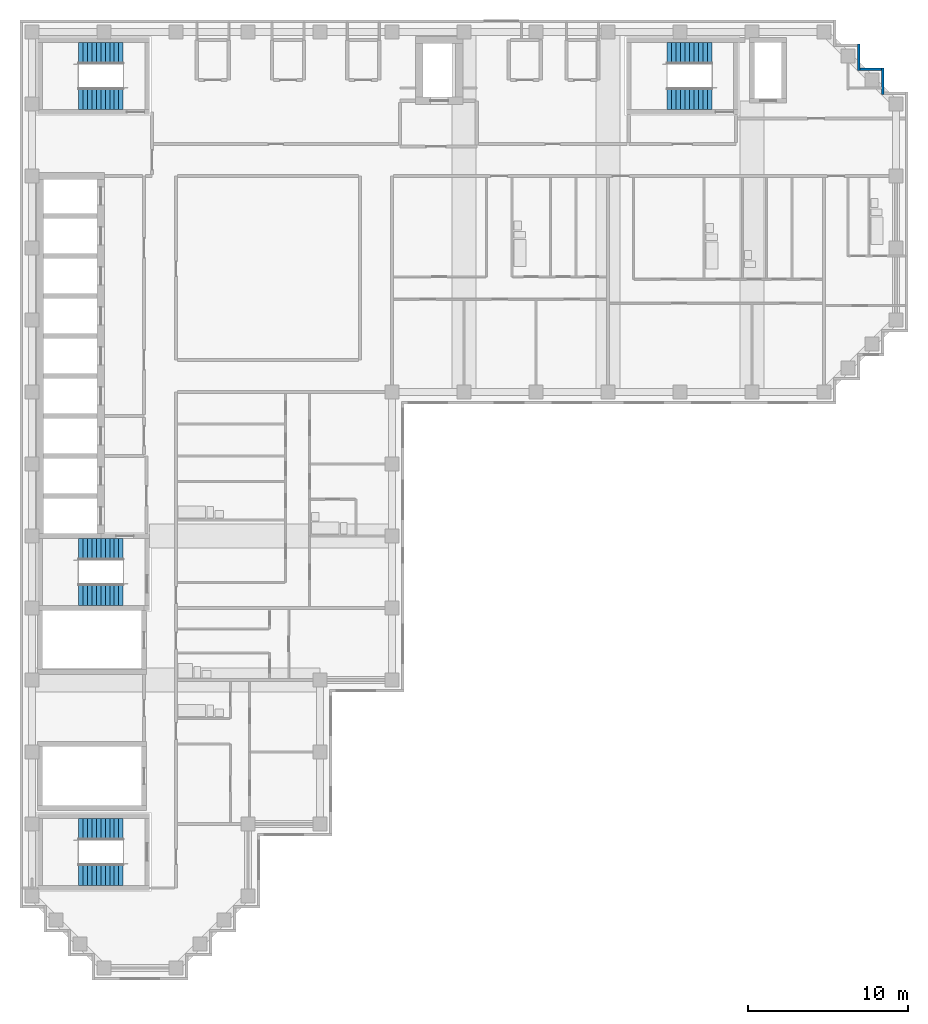
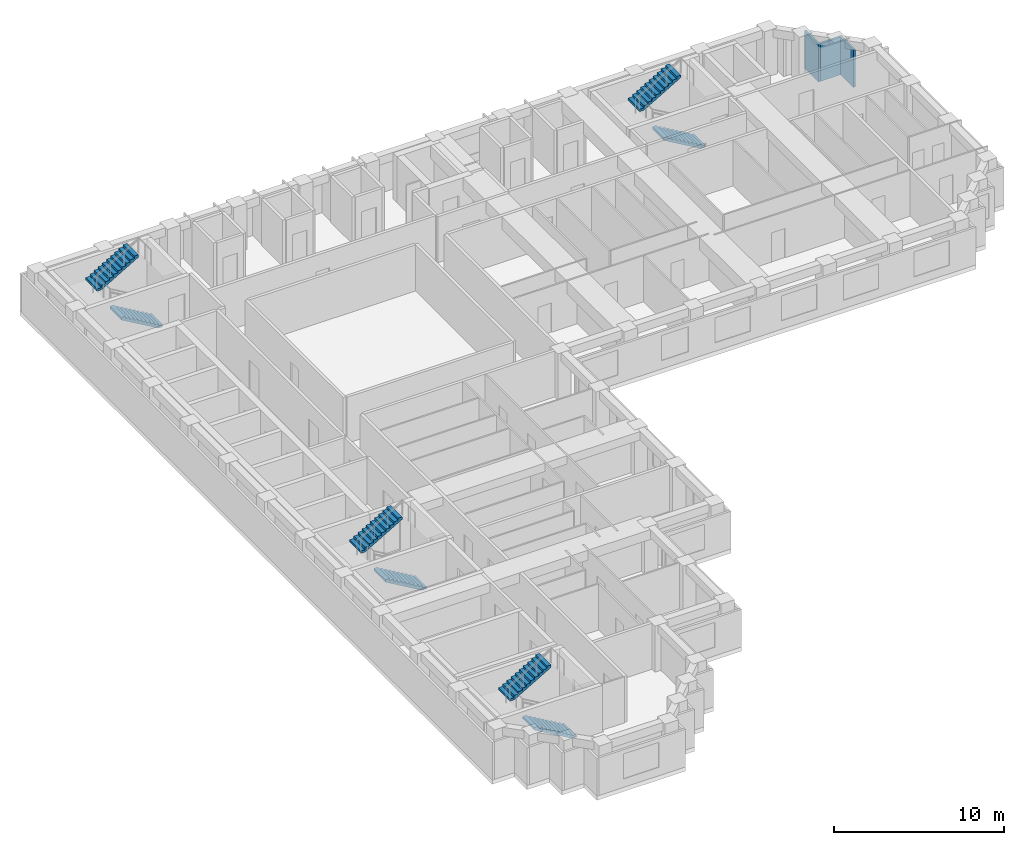
# One storey, part 8 of 10: 8 stair flights, 3 walls, 4 elements without a shape of their own.
"""IFC4 building model written with IfcOpenShell, lengths in metres."""

import ifcopenshell
import ifcopenshell.guid

model = None  # the IFC model being written
_history = None  # IfcOwnerHistory: only IFC2X3 demands one
_inside = {}  # id of a spatial element -> (the spatial element, [elements in it])
_under = {}  # id of a project, library or spatial element -> (it, [spatial elements below it])
_declared = {}  # id of a project -> (the project, [libraries it declares])
_typed = {}  # id of a type object -> (the type object, [elements of that type])
_made_of = {}  # id of a material, layer set ... -> (it, [elements and type objects made of it])


def new_model(schema):
    """Start an empty IFC model of exactly this schema.

    Asked for "IFC4X3", IfcOpenShell would pick the latest addendum, in which some entities
    have other attributes; the version numbers below select the first issue.
    IFC2X3 requires an IfcOwnerHistory on every rooted entity: one is made here for all.
    """
    global model, _history
    if schema == "IFC4X3":
        model = ifcopenshell.file(schema_version=(4, 3, 0, 0))
    else:
        model = ifcopenshell.file(schema=schema)
    _inside.clear()
    _under.clear()
    _declared.clear()
    _typed.clear()
    _made_of.clear()
    _history = None
    if model.schema == "IFC2X3":
        org = make("IfcOrganization", Name="unknown")
        user = make(
            "IfcPersonAndOrganization",
            ThePerson=make("IfcPerson", FamilyName="unknown"),
            TheOrganization=org,
        )
        app = make(
            "IfcApplication",
            ApplicationDeveloper=org,
            Version="unknown",
            ApplicationFullName="unknown",
            ApplicationIdentifier="unknown",
        )
        _history = make(
            "IfcOwnerHistory",
            OwningUser=user,
            OwningApplication=app,
            ChangeAction="ADDED",
            CreationDate=0,
        )
    return model


def make(cls, **values):
    """One entity of the class cls with the attributes given. An attribute that is None is left unset."""
    return model.create_entity(
        cls, **{name: value for name, value in values.items() if value is not None}
    )


def rooted(cls, **values):
    """An entity with a GlobalId (a new one), such as an element, a storey or a relation."""
    return make(cls, GlobalId=ifcopenshell.guid.new(), OwnerHistory=_history, **values)


def si_unit(unit_type, name, prefix=None):
    """IfcSIUnit, for example si_unit("LENGTHUNIT", "METRE", prefix="MILLI")."""
    return make("IfcSIUnit", UnitType=unit_type, Prefix=prefix, Name=name)


def assignment(units):
    """IfcUnitAssignment: the units of a project."""
    return None if units is None else make("IfcUnitAssignment", Units=units)


def point(xyz):
    """IfcCartesianPoint."""
    return None if xyz is None else make("IfcCartesianPoint", Coordinates=xyz)


def direction(xyz):
    """IfcDirection."""
    return None if xyz is None else make("IfcDirection", DirectionRatios=xyz)


def frame(location, z_axis=None, x_axis=None):
    """IfcAxis2Placement3D, a coordinate frame: its origin and axes. An axis left out is left unset."""
    return make(
        "IfcAxis2Placement3D",
        Location=point(location),
        Axis=direction(z_axis),
        RefDirection=direction(x_axis),
    )


def frame_2d(location, x_axis=None):
    """IfcAxis2Placement2D, a coordinate frame in the plane: its origin and x axis."""
    return make(
        "IfcAxis2Placement2D", Location=point(location), RefDirection=direction(x_axis)
    )


def origin():
    """The frame at (0, 0, 0) with its axes left unset."""
    return frame((0.0, 0.0, 0.0))


def place(relative_to, where):
    """IfcLocalPlacement: puts the frame where relative to a parent placement (None: the world)."""
    return make(
        "IfcLocalPlacement", PlacementRelTo=relative_to, RelativePlacement=where
    )


def context(
    kind, dimensions, precision=None, world=None, true_north=None, identifier=None
):
    """IfcGeometricRepresentationContext, for example the 3D "Model" context."""
    return make(
        "IfcGeometricRepresentationContext",
        ContextIdentifier=identifier,
        ContextType=kind,
        CoordinateSpaceDimension=dimensions,
        Precision=precision,
        WorldCoordinateSystem=world,
        TrueNorth=true_north,
    )


def subcontext(parent, identifier, kind, view, scale=None):
    """IfcGeometricRepresentationSubContext, for example "Body" below "Model"."""
    return make(
        "IfcGeometricRepresentationSubContext",
        ContextIdentifier=identifier,
        ContextType=kind,
        ParentContext=parent,
        TargetScale=scale,
        TargetView=view,
    )


def project(units=None, contexts=None):
    """IfcProject with its units and contexts."""
    return rooted(
        "IfcProject",
        Name="project",
        RepresentationContexts=contexts,
        UnitsInContext=assignment(units),
    )


def spatial(cls, under=None, at=None, **own):
    """A site, building, storey or space (cls), placed at a placement, below another one or the project."""
    s = rooted(cls, ObjectPlacement=at, **own)
    if under is not None:
        _under.setdefault(under.id(), (under, []))[1].append(s)
    return s


def polyline(points):
    """IfcPolyline through the points."""
    return make("IfcPolyline", Points=[point(p) for p in points])


def profile(cls, at=None, kind="AREA", **sizes):
    """A parametric profile (cls). Its sizes go by their IFC names, for example OverallWidth=200.0."""
    return make(cls, ProfileType=kind, Position=at, **sizes)


def rectangle(**sizes):
    """IfcRectangleProfileDef."""
    return profile("IfcRectangleProfileDef", **sizes)


def outline(outer, holes=None, kind="AREA"):
    """IfcArbitraryClosedProfileDef: a profile drawn as a closed curve; with holes, ...WithVoids."""
    if holes is None:
        return make("IfcArbitraryClosedProfileDef", ProfileType=kind, OuterCurve=outer)
    return make(
        "IfcArbitraryProfileDefWithVoids",
        ProfileType=kind,
        OuterCurve=outer,
        InnerCurves=holes,
    )


def extrude(swept, where, along, depth):
    """IfcExtrudedAreaSolid: the profile swept, set in the frame where, extruded along a direction by depth."""
    return make(
        "IfcExtrudedAreaSolid",
        SweptArea=swept,
        Position=where,
        ExtrudedDirection=direction(along),
        Depth=depth,
    )


def shape(context_of_items, identifier, shape_type, items):
    """IfcShapeRepresentation: the items that make up one representation, for example the "Body"."""
    return make(
        "IfcShapeRepresentation",
        ContextOfItems=context_of_items,
        RepresentationIdentifier=identifier,
        RepresentationType=shape_type,
        Items=items,
    )


def material(Name=None, Category=None):
    """IfcMaterial."""
    return make("IfcMaterial", Name=Name, Category=Category)


def layer(
    of_material, thickness, ventilated=None, Name=None, Category=None, Priority=None
):
    """IfcMaterialLayer: one layer of a wall or slab, of a material (None: an air gap)."""
    return make(
        "IfcMaterialLayer",
        Material=of_material,
        LayerThickness=thickness,
        IsVentilated=ventilated,
        Name=Name,
        Category=Category,
        Priority=Priority,
    )


def layer_set(layers, Name=None):
    """IfcMaterialLayerSet."""
    return make("IfcMaterialLayerSet", MaterialLayers=layers, LayerSetName=Name)


def made_of(thing, what):
    """Note that an element or type object is made of a material, layer set ...; save() writes the relation."""
    if what is not None:
        _made_of.setdefault(what.id(), (what, []))[1].append(thing)
    return thing


def type_object(cls, material=None, **own):
    """A type object (cls), such as IfcWallType, which elements share."""
    return made_of(rooted(cls, **own), material)


def element(
    cls,
    number,
    at=None,
    inside=None,
    cuts=None,
    type_object=None,
    material=None,
    context=None,
    identifier="Body",
    shape_type=None,
    held_by="IfcProductDefinitionShape",
    body=None,
    shapes=None,
    **own,
):
    """One element of the class cls, such as IfcWall. Its Tag is "e" and its number.

    at: its placement. inside: the storey or other place that contains it. cuts: it is an
    opening in that element (IfcRelVoidsElement). A single representation is given by context,
    identifier, shape_type and body (its items); several are given by shapes. held_by: the class
    of the entity that holds the representations. save() writes the other relations.
    """
    e = rooted(cls, Tag="e%d" % number, ObjectPlacement=at, **own)
    if body is not None:
        shapes = [shape(context, identifier, shape_type, body)]
    if shapes is not None:
        e.Representation = make(held_by, Representations=shapes)
    if inside is not None:
        _inside.setdefault(inside.id(), (inside, []))[1].append(e)
    if cuts is not None:
        rooted(
            "IfcRelVoidsElement", RelatingBuildingElement=cuts, RelatedOpeningElement=e
        )
    if type_object is not None:
        _typed.setdefault(type_object.id(), (type_object, []))[1].append(e)
    return made_of(e, material)


def aggregate(whole, parts):
    """IfcRelAggregates: a whole, such as a stair, and the parts it consists of."""
    return rooted("IfcRelAggregates", RelatingObject=whole, RelatedObjects=parts)


def save(model, path):
    """Write the relations noted so far, then the file.

    IfcRelAggregates (storeys below a building ...), IfcRelContainedInSpatialStructure (elements
    in a storey), IfcRelDefinesByType, IfcRelAssociatesMaterial and IfcRelDeclares: one each for
    every whole, place, type object, material and project.
    """
    for whole, parts in _under.values():
        aggregate(whole, parts)
    for where, things in _inside.values():
        rooted(
            "IfcRelContainedInSpatialStructure",
            RelatedElements=things,
            RelatingStructure=where,
        )
    for kind, things in _typed.values():
        rooted("IfcRelDefinesByType", RelatedObjects=things, RelatingType=kind)
    for what, things in _made_of.values():
        rooted("IfcRelAssociatesMaterial", RelatedObjects=things, RelatingMaterial=what)
    for by, libraries in _declared.values():
        rooted("IfcRelDeclares", RelatingContext=by, RelatedDefinitions=libraries)
    model.write(path)


model = new_model("IFC4")

# Units and contexts
model_context = context("Model", 3, precision=1e-05, world=origin(), true_north=direction((0.0, 1.0)))
body_context = subcontext(model_context, "Body", "Model", "MODEL_VIEW")
ifc_project = project(units=[si_unit("LENGTHUNIT", "METRE"), si_unit("AREAUNIT", "SQUARE_METRE"), si_unit("VOLUMEUNIT", "CUBIC_METRE"), si_unit("PLANEANGLEUNIT", "RADIAN"), si_unit("MASSUNIT", "GRAM", prefix="KILO")], contexts=[model_context])

# Site, building, storey
site_placement = place(None, origin())
site = spatial("IfcSite", under=ifc_project, at=site_placement, CompositionType="ELEMENT")
building_placement = place(site_placement, origin())
building = spatial("IfcBuilding", under=site, at=building_placement, Name="Firuza Court", CompositionType="ELEMENT")
storey_placement = place(building_placement, frame((0.0, 0.0, 193.39990234375)))
storey = spatial("IfcBuildingStorey", under=building, at=storey_placement, Name="L49", CompositionType="ELEMENT", Elevation=193.39990234375)

# Walls
ifc_material_1 = material(Name="Ceramic tile", Category="ceramic")
ifc_layer_1 = layer(ifc_material_1, 0.02001953125)
ifc_material_2 = material(Name="Mineral wool insulation", Category="insulation")
ifc_layer_2 = layer(ifc_material_2, 0.050048828125)
ifc_material_3 = material(Name="Concrete C40/50 precast", Category="concrete")
ifc_layer_3 = layer(ifc_material_3, 0.080078125)
ifc_layer_set = layer_set([ifc_layer_1, ifc_layer_2, ifc_layer_3], Name="Concrete C40/50 precast")
wall_type = type_object("IfcWallType", Name="Precast cladding wall with turquoise TILE PANEL face 150", PredefinedType="STANDARD", material=ifc_layer_set)
wall_1_placement = place(storey_placement, frame((53.175048828125, 54.60009765625, 0.0), z_axis=(0.0, 0.0, 1.0), x_axis=(0.0, 1.0, 0.0)))
element("IfcWall", 1, at=wall_1_placement, inside=storey, type_object=wall_type, Name="Facade wall L49 E", PredefinedType="STANDARD", context=body_context, shape_type="SweptSolid", body=[
    extrude(rectangle(XDim=1.64990234375, YDim=0.14990234375, at=frame_2d((0.824951171875, 0.0))), origin(), (0.0, 0.0, 1.0), 2.7001953125),
])
wall_2_placement = place(storey_placement, frame((53.10009765625, 56.175048828125, 0.0), z_axis=(0.0, 0.0, 1.0), x_axis=(-1.0, 0.0, 0.0)))
element("IfcWall", 2, at=wall_2_placement, inside=storey, type_object=wall_type, Name="Facade wall L49 N", PredefinedType="STANDARD", context=body_context, shape_type="SweptSolid", body=[
    extrude(rectangle(XDim=1.35009765625, YDim=0.14990234375, at=frame_2d((0.675048828125, 0.0))), origin(), (0.0, 0.0, 1.0), 2.7001953125),
])
wall_3_placement = place(storey_placement, frame((51.675048828125, 56.10009765625, 0.0), z_axis=(0.0, 0.0, 1.0), x_axis=(0.0, 1.0, 0.0)))
element("IfcWall", 3, at=wall_3_placement, inside=storey, type_object=wall_type, Name="Facade wall L49 E", PredefinedType="STANDARD", context=body_context, shape_type="SweptSolid", body=[
    extrude(rectangle(XDim=1.64990234375, YDim=0.14990234375, at=frame_2d((0.824951171875, 0.0))), origin(), (0.0, 0.0, 1.0), 2.7001953125),
])

# Stair, stair flights
ifc_material_4 = material(Name="Concrete C40/50 precast", Category="concrete")
stair_type = type_object("IfcStairType", Name="Stair 1350 x 3600 2 flights", PredefinedType="HALF_TURN_STAIR", material=ifc_material_4)
stair_1_placement = place(storey_placement, origin())
stair_1 = element("IfcStair", 4, at=stair_1_placement, inside=storey, type_object=stair_type, Name="Stair 1 L49", PredefinedType="HALF_TURN_STAIR")
ifc_material_5 = material(Name="Concrete C40/50 precast", Category="concrete")
stair_flight_type = type_object("IfcStairFlightType", Name="Flight 1350 riser 163.6", PredefinedType="STRAIGHT", material=ifc_material_5)
stair_flight_1_placement = place(storey_placement, frame((42.5, 54.324951171875, 0.0), z_axis=(0.0, 0.0, 1.0), x_axis=(-1.0, 0.0, 0.0)))
stair_flight_1 = element("IfcStairFlight", 5, at=stair_flight_1_placement, type_object=stair_flight_type, Name="S1 flight 1", NumberOfRisers=11, NumberOfTreads=10, PredefinedType="STRAIGHT", RiserHeight=0.163636364, TreadLength=0.28, context=body_context, shape_type="SweptSolid", body=[
    extrude(outline(polyline([(0.0, 0.0), (0.0, 0.16357421875), (0.280029296875, 0.16357421875), (0.280029296875, 0.327392578125), (0.56005859375, 0.327392578125), (0.56005859375, 0.490966796875), (0.840087890625, 0.490966796875), (0.840087890625, 0.654541015625), (1.1201171875, 0.654541015625), (1.1201171875, 0.818115234375), (1.39990234375, 0.818115234375), (1.39990234375, 0.98193359375), (1.679931640625, 0.98193359375), (1.679931640625, 1.1455078125), (1.9599609375, 1.1455078125), (1.9599609375, 1.30908203125), (2.239990234375, 1.30908203125), (2.239990234375, 1.47265625), (2.52001953125, 1.47265625), (2.52001953125, 1.636474609375), (2.800048828125, 1.636474609375), (2.800048828125, 1.800048828125), (2.800048828125, 1.462646484375), (0.297119140625, 0.0), (0.0, 0.0)])), frame((0.0, 0.675048828125, 0.0), z_axis=(0.0, -1.0, 0.0), x_axis=(1.0, 0.0, 0.0)), (0.0, 0.0, 1.0), 1.35009765625),
])
stair_flight_2_placement = place(storey_placement, frame((39.699951171875, 57.175048828125, 1.800048828125), z_axis=(0.0, 0.0, 1.0), x_axis=(1.0, 0.0, 0.0)))
stair_flight_2 = element("IfcStairFlight", 6, at=stair_flight_2_placement, type_object=stair_flight_type, Name="S1 flight 2", NumberOfRisers=11, NumberOfTreads=10, PredefinedType="STRAIGHT", RiserHeight=0.163636364, TreadLength=0.28, context=body_context, shape_type="SweptSolid", body=[
    extrude(outline(polyline([(0.0, 0.0), (0.0, 0.16357421875), (0.280029296875, 0.16357421875), (0.280029296875, 0.327392578125), (0.56005859375, 0.327392578125), (0.56005859375, 0.490966796875), (0.840087890625, 0.490966796875), (0.840087890625, 0.654541015625), (1.1201171875, 0.654541015625), (1.1201171875, 0.818115234375), (1.39990234375, 0.818115234375), (1.39990234375, 0.98193359375), (1.679931640625, 0.98193359375), (1.679931640625, 1.1455078125), (1.9599609375, 1.1455078125), (1.9599609375, 1.30908203125), (2.239990234375, 1.30908203125), (2.239990234375, 1.47265625), (2.52001953125, 1.47265625), (2.52001953125, 1.636474609375), (2.800048828125, 1.636474609375), (2.800048828125, 1.800048828125), (2.800048828125, 1.462646484375), (0.297119140625, 0.0), (0.0, 0.0)])), frame((0.0, 0.675048828125, 0.0), z_axis=(0.0, -1.0, 0.0), x_axis=(1.0, 0.0, 0.0)), (0.0, 0.0, 1.0), 1.35009765625),
])
aggregate(stair_1, [stair_flight_1, stair_flight_2])

stair_2_placement = place(storey_placement, origin())
stair_2 = element("IfcStair", 7, at=stair_2_placement, inside=storey, type_object=stair_type, Name="Stair 2 L49", PredefinedType="HALF_TURN_STAIR")
stair_flight_3_placement = place(storey_placement, frame((5.699951171875, 23.324951171875, 0.0), z_axis=(0.0, 0.0, 1.0), x_axis=(-1.0, 0.0, 0.0)))
stair_flight_3 = element("IfcStairFlight", 8, at=stair_flight_3_placement, type_object=stair_flight_type, Name="S2 flight 1", NumberOfRisers=11, NumberOfTreads=10, PredefinedType="STRAIGHT", RiserHeight=0.163636364, TreadLength=0.28, context=body_context, shape_type="SweptSolid", body=[
    extrude(outline(polyline([(0.0, 0.0), (0.0, 0.16357421875), (0.280029296875, 0.16357421875), (0.280029296875, 0.327392578125), (0.56005859375, 0.327392578125), (0.56005859375, 0.490966796875), (0.840087890625, 0.490966796875), (0.840087890625, 0.654541015625), (1.1201171875, 0.654541015625), (1.1201171875, 0.818115234375), (1.39990234375, 0.818115234375), (1.39990234375, 0.98193359375), (1.679931640625, 0.98193359375), (1.679931640625, 1.1455078125), (1.9599609375, 1.1455078125), (1.9599609375, 1.30908203125), (2.239990234375, 1.30908203125), (2.239990234375, 1.47265625), (2.52001953125, 1.47265625), (2.52001953125, 1.636474609375), (2.800048828125, 1.636474609375), (2.800048828125, 1.800048828125), (2.800048828125, 1.462646484375), (0.297119140625, 0.0), (0.0, 0.0)])), frame((0.0, 0.675048828125, 0.0), z_axis=(0.0, -1.0, 0.0), x_axis=(1.0, 0.0, 0.0)), (0.0, 0.0, 1.0), 1.35009765625),
])
stair_flight_4_placement = place(storey_placement, frame((2.89990234375, 26.175048828125, 1.800048828125), z_axis=(0.0, 0.0, 1.0), x_axis=(1.0, 0.0, 0.0)))
stair_flight_4 = element("IfcStairFlight", 9, at=stair_flight_4_placement, type_object=stair_flight_type, Name="S2 flight 2", NumberOfRisers=11, NumberOfTreads=10, PredefinedType="STRAIGHT", RiserHeight=0.163636364, TreadLength=0.28, context=body_context, shape_type="SweptSolid", body=[
    extrude(outline(polyline([(0.0, 0.0), (0.0, 0.16357421875), (0.280029296875, 0.16357421875), (0.280029296875, 0.327392578125), (0.56005859375, 0.327392578125), (0.56005859375, 0.490966796875), (0.840087890625, 0.490966796875), (0.840087890625, 0.654541015625), (1.1201171875, 0.654541015625), (1.1201171875, 0.818115234375), (1.39990234375, 0.818115234375), (1.39990234375, 0.98193359375), (1.679931640625, 0.98193359375), (1.679931640625, 1.1455078125), (1.9599609375, 1.1455078125), (1.9599609375, 1.30908203125), (2.239990234375, 1.30908203125), (2.239990234375, 1.47265625), (2.52001953125, 1.47265625), (2.52001953125, 1.636474609375), (2.800048828125, 1.636474609375), (2.800048828125, 1.800048828125), (2.800048828125, 1.462646484375), (0.297119140625, 0.0), (0.0, 0.0)])), frame((0.0, 0.675048828125, 0.0), z_axis=(0.0, -1.0, 0.0), x_axis=(1.0, 0.0, 0.0)), (0.0, 0.0, 1.0), 1.35009765625),
])
aggregate(stair_2, [stair_flight_3, stair_flight_4])

stair_3_placement = place(storey_placement, origin())
stair_3 = element("IfcStair", 10, at=stair_3_placement, inside=storey, type_object=stair_type, Name="Stair 3 L49", PredefinedType="HALF_TURN_STAIR")
stair_flight_5_placement = place(storey_placement, frame((5.699951171875, 54.324951171875, 0.0), z_axis=(0.0, 0.0, 1.0), x_axis=(-1.0, 0.0, 0.0)))
stair_flight_5 = element("IfcStairFlight", 11, at=stair_flight_5_placement, type_object=stair_flight_type, Name="S3 flight 1", NumberOfRisers=11, NumberOfTreads=10, PredefinedType="STRAIGHT", RiserHeight=0.163636364, TreadLength=0.28, context=body_context, shape_type="SweptSolid", body=[
    extrude(outline(polyline([(0.0, 0.0), (0.0, 0.16357421875), (0.280029296875, 0.16357421875), (0.280029296875, 0.327392578125), (0.56005859375, 0.327392578125), (0.56005859375, 0.490966796875), (0.840087890625, 0.490966796875), (0.840087890625, 0.654541015625), (1.1201171875, 0.654541015625), (1.1201171875, 0.818115234375), (1.39990234375, 0.818115234375), (1.39990234375, 0.98193359375), (1.679931640625, 0.98193359375), (1.679931640625, 1.1455078125), (1.9599609375, 1.1455078125), (1.9599609375, 1.30908203125), (2.239990234375, 1.30908203125), (2.239990234375, 1.47265625), (2.52001953125, 1.47265625), (2.52001953125, 1.636474609375), (2.800048828125, 1.636474609375), (2.800048828125, 1.800048828125), (2.800048828125, 1.462646484375), (0.297119140625, 0.0), (0.0, 0.0)])), frame((0.0, 0.675048828125, 0.0), z_axis=(0.0, -1.0, 0.0), x_axis=(1.0, 0.0, 0.0)), (0.0, 0.0, 1.0), 1.35009765625),
])
stair_flight_6_placement = place(storey_placement, frame((2.89990234375, 57.175048828125, 1.800048828125), z_axis=(0.0, 0.0, 1.0), x_axis=(1.0, 0.0, 0.0)))
stair_flight_6 = element("IfcStairFlight", 12, at=stair_flight_6_placement, type_object=stair_flight_type, Name="S3 flight 2", NumberOfRisers=11, NumberOfTreads=10, PredefinedType="STRAIGHT", RiserHeight=0.163636364, TreadLength=0.28, context=body_context, shape_type="SweptSolid", body=[
    extrude(outline(polyline([(0.0, 0.0), (0.0, 0.16357421875), (0.280029296875, 0.16357421875), (0.280029296875, 0.327392578125), (0.56005859375, 0.327392578125), (0.56005859375, 0.490966796875), (0.840087890625, 0.490966796875), (0.840087890625, 0.654541015625), (1.1201171875, 0.654541015625), (1.1201171875, 0.818115234375), (1.39990234375, 0.818115234375), (1.39990234375, 0.98193359375), (1.679931640625, 0.98193359375), (1.679931640625, 1.1455078125), (1.9599609375, 1.1455078125), (1.9599609375, 1.30908203125), (2.239990234375, 1.30908203125), (2.239990234375, 1.47265625), (2.52001953125, 1.47265625), (2.52001953125, 1.636474609375), (2.800048828125, 1.636474609375), (2.800048828125, 1.800048828125), (2.800048828125, 1.462646484375), (0.297119140625, 0.0), (0.0, 0.0)])), frame((0.0, 0.675048828125, 0.0), z_axis=(0.0, -1.0, 0.0), x_axis=(1.0, 0.0, 0.0)), (0.0, 0.0, 1.0), 1.35009765625),
])
aggregate(stair_3, [stair_flight_5, stair_flight_6])

stair_4_placement = place(storey_placement, origin())
stair_4 = element("IfcStair", 13, at=stair_4_placement, inside=storey, type_object=stair_type, Name="Stair 5 L49", PredefinedType="HALF_TURN_STAIR")
stair_flight_7_placement = place(storey_placement, frame((5.699951171875, 5.824951171875, 0.0), z_axis=(0.0, 0.0, 1.0), x_axis=(-1.0, 0.0, 0.0)))
stair_flight_7 = element("IfcStairFlight", 14, at=stair_flight_7_placement, type_object=stair_flight_type, Name="S5 flight 1", NumberOfRisers=11, NumberOfTreads=10, PredefinedType="STRAIGHT", RiserHeight=0.163636364, TreadLength=0.28, context=body_context, shape_type="SweptSolid", body=[
    extrude(outline(polyline([(0.0, 0.0), (0.0, 0.16357421875), (0.280029296875, 0.16357421875), (0.280029296875, 0.327392578125), (0.56005859375, 0.327392578125), (0.56005859375, 0.490966796875), (0.840087890625, 0.490966796875), (0.840087890625, 0.654541015625), (1.1201171875, 0.654541015625), (1.1201171875, 0.818115234375), (1.39990234375, 0.818115234375), (1.39990234375, 0.98193359375), (1.679931640625, 0.98193359375), (1.679931640625, 1.1455078125), (1.9599609375, 1.1455078125), (1.9599609375, 1.30908203125), (2.239990234375, 1.30908203125), (2.239990234375, 1.47265625), (2.52001953125, 1.47265625), (2.52001953125, 1.636474609375), (2.800048828125, 1.636474609375), (2.800048828125, 1.800048828125), (2.800048828125, 1.462646484375), (0.297119140625, 0.0), (0.0, 0.0)])), frame((0.0, 0.675048828125, 0.0), z_axis=(0.0, -1.0, 0.0), x_axis=(1.0, 0.0, 0.0)), (0.0, 0.0, 1.0), 1.35009765625),
])
stair_flight_8_placement = place(storey_placement, frame((2.89990234375, 8.675048828125, 1.800048828125), z_axis=(0.0, 0.0, 1.0), x_axis=(1.0, 0.0, 0.0)))
stair_flight_8 = element("IfcStairFlight", 15, at=stair_flight_8_placement, type_object=stair_flight_type, Name="S5 flight 2", NumberOfRisers=11, NumberOfTreads=10, PredefinedType="STRAIGHT", RiserHeight=0.163636364, TreadLength=0.28, context=body_context, shape_type="SweptSolid", body=[
    extrude(outline(polyline([(0.0, 0.0), (0.0, 0.16357421875), (0.280029296875, 0.16357421875), (0.280029296875, 0.327392578125), (0.56005859375, 0.327392578125), (0.56005859375, 0.490966796875), (0.840087890625, 0.490966796875), (0.840087890625, 0.654541015625), (1.1201171875, 0.654541015625), (1.1201171875, 0.818115234375), (1.39990234375, 0.818115234375), (1.39990234375, 0.98193359375), (1.679931640625, 0.98193359375), (1.679931640625, 1.1455078125), (1.9599609375, 1.1455078125), (1.9599609375, 1.30908203125), (2.239990234375, 1.30908203125), (2.239990234375, 1.47265625), (2.52001953125, 1.47265625), (2.52001953125, 1.636474609375), (2.800048828125, 1.636474609375), (2.800048828125, 1.800048828125), (2.800048828125, 1.462646484375), (0.297119140625, 0.0), (0.0, 0.0)])), frame((0.0, 0.675048828125, 0.0), z_axis=(0.0, -1.0, 0.0), x_axis=(1.0, 0.0, 0.0)), (0.0, 0.0, 1.0), 1.35009765625),
])
aggregate(stair_4, [stair_flight_7, stair_flight_8])

save(model, "model.ifc")
